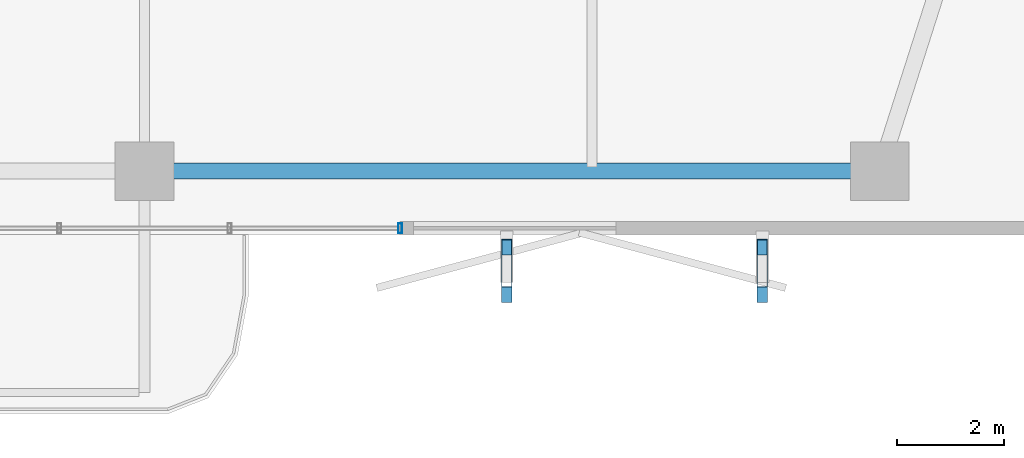
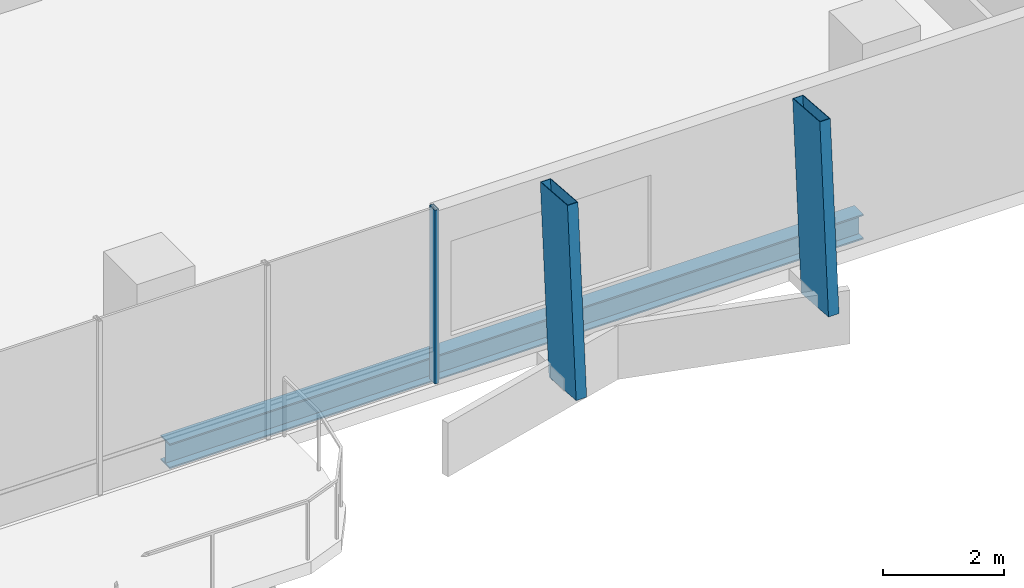
# One storey, part 8 of 25: 3 members, 1 beam, 1 element without a shape of its own.
"""IFC4 building model written with IfcOpenShell, lengths in metres."""

from ifc_helpers import new_model, si_unit, direction, frame, origin, origin_2d, place, context, subcontext, project, spatial, hollow_rectangle, i_section, extrude, material, layer, layer_set, material_profile, profile_set, type_object, element, aggregate, save


model = new_model("IFC4")

# Units and contexts
model_context = context("Model", 3, precision=1e-05, world=origin(), true_north=direction((0.0, 1.0)))
body_context = subcontext(model_context, "Body", "Model", "MODEL_VIEW")
ifc_project = project(units=[si_unit("LENGTHUNIT", "METRE"), si_unit("AREAUNIT", "SQUARE_METRE"), si_unit("VOLUMEUNIT", "CUBIC_METRE"), si_unit("PLANEANGLEUNIT", "RADIAN"), si_unit("MASSUNIT", "GRAM", prefix="KILO")], contexts=[model_context])

# Site, building, storey
site_placement = place(None, origin())
site = spatial("IfcSite", under=ifc_project, at=site_placement, CompositionType="ELEMENT")
building_placement = place(site_placement, origin())
building = spatial("IfcBuilding", under=site, at=building_placement, Name="Belovzor Exchange Tower", CompositionType="ELEMENT")
storey_placement = place(building_placement, frame((0.0, 0.0, 183.300048828125)))
storey = spatial("IfcBuildingStorey", under=building, at=storey_placement, Name="L45", CompositionType="ELEMENT", Elevation=183.300048828125)

# Members
ifc_material_1 = material(Name="Extruded Architectural Terracotta on Steel S355 Carrier", Category="masonry")
ifc_material_profile_1 = material_profile(ifc_material_1, hollow_rectangle(XDim=0.199951171875, YDim=0.89990234375, WallThickness=0.011962890625, at=origin_2d()))
ifc_profile_set_1 = profile_set([ifc_material_profile_1], Name="Extruded Architectural Terracotta on Steel S355 Carrier")
member_type_1 = type_object("IfcMemberType", Name="Sweeping Terracotta Baguette Fin Assembly 1250", PredefinedType="USERDEFINED", material=ifc_profile_set_1)
for number, where, z_axis, x_axis, name in (
    (1, (35.60009765625, 3.68896484375, -0.255126953125), (0.0, 0.076080932854, 0.997101645599), (-1.0, 0.0, 0.0), "FIN-TC125 Terracotta Facade Fin L45 S3"),
    (2, (40.39990234375, 3.68896484375, -0.255126953125), (0.0, 0.076080932854, 0.997101645599), (-1.0, 0.0, 0.0), "FIN-TC125 Terracotta Facade Fin L45 S4"),
):
    element("IfcMember", number, at=place(storey_placement, frame(where, z_axis=z_axis, x_axis=x_axis)), inside=storey, type_object=member_type_1, Name=name, ObjectType="FIN", PredefinedType="USERDEFINED", context=body_context, shape_type="SweptSolid", body=[
        extrude(hollow_rectangle(XDim=0.199951171875, YDim=0.89990234375, WallThickness=0.011962890625, at=origin_2d()), origin(), (0.0, 0.0, 1.0), 3.760986328125),
    ])

# Curtain wall, member
ifc_material_2 = material(Name="Anodised Aluminium Framing", Category="aluminium")
ifc_layer = layer(ifc_material_2, 0.179931640625)
ifc_layer_set = layer_set([ifc_layer], Name="Anodised Aluminium Framing")
curtain_wall_type = type_object("IfcCurtainWallType", Name="Recessed Loggia Low-Iron Triple-Glazed Curtain Wall", PredefinedType="NOTDEFINED", material=ifc_layer_set)
curtain_wall_placement = place(storey_placement, origin())
curtain_wall = element("IfcCurtainWall", 3, at=curtain_wall_placement, inside=storey, type_object=curtain_wall_type, Name="CW3 Recessed Loggia Low-Iron Triple-Glazed Curtain Wall L45", PredefinedType="NOTDEFINED")
ifc_material_3 = material(Name="Steel S355", Category="steel")
ifc_material_profile_2 = material_profile(ifc_material_3, hollow_rectangle(XDim=0.074951171875, YDim=0.179931640625, WallThickness=0.0048828125, at=origin_2d()))
ifc_profile_set_2 = profile_set([ifc_material_profile_2], Name="Steel S355")
member_type_2 = type_object("IfcMemberType", Name="Thermally Broken Curtain Wall Mullion 180x75", PredefinedType="MULLION", material=ifc_profile_set_2)
member_placement = place(storey_placement, frame((33.60009765625, 4.6298828125, 0.0), z_axis=(0.0, 0.0, 1.0), x_axis=(-1.0, 0.0, 0.0)))
member = element("IfcMember", 4, at=member_placement, type_object=member_type_2, Name="CW-M180 Curtain Wall Mullion 1", PredefinedType="MULLION", context=body_context, shape_type="SweptSolid", body=[
    extrude(hollow_rectangle(XDim=0.074951171875, YDim=0.179931640625, WallThickness=0.0048828125, at=origin_2d()), origin(), (0.0, 0.0, 1.0), 3.494873046875),
])
aggregate(curtain_wall, [member])

# Beam
ifc_material_4 = material(Name="Steel S355", Category="steel")
ifc_material_profile_3 = material_profile(ifc_material_4, i_section(OverallWidth=0.300048828125, OverallDepth=0.5, WebThickness=0.014404296875, FlangeThickness=0.028076171875, at=origin_2d()))
ifc_profile_set_3 = profile_set([ifc_material_profile_3], Name="Steel S355")
beam_type = type_object("IfcBeamType", Name="Zone 3 Waist Primary Girder HEB 500", PredefinedType="BEAM", material=ifc_profile_set_3)
beam_placement = place(storey_placement, frame((29.10205078125, 5.699951171875, -0.505126953125), z_axis=(1.0, 0.0, 0.0), x_axis=(0.0, 1.0, 0.0)))
element("IfcBeam", 5, at=beam_placement, inside=storey, type_object=beam_type, Name="FG-Z3 Zone 3 Waist Primary Girder HEB 500", PredefinedType="BEAM", context=body_context, shape_type="SweptSolid", body=[
    extrude(i_section(OverallWidth=0.300048828125, OverallDepth=0.5, WebThickness=0.014404296875, FlangeThickness=0.028076171875, at=origin_2d()), origin(), (0.0, 0.0, 1.0), 13.195068359375),
])

save(model, "model.ifc")
